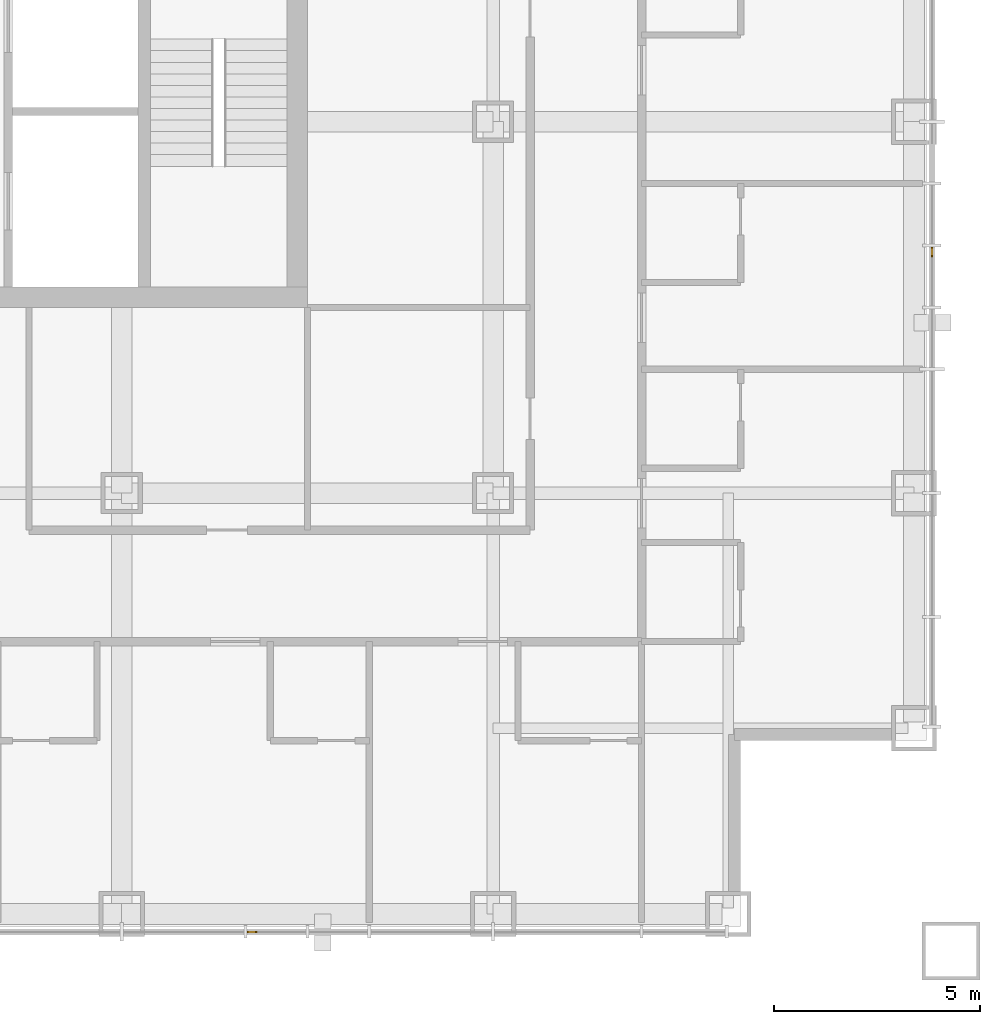
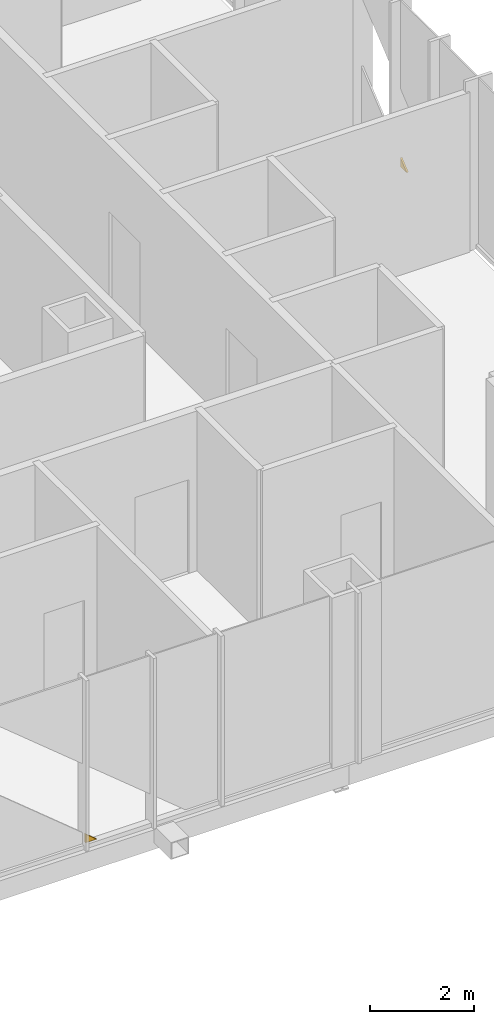
# One storey, part 16 of 18: 2 coverings.
"""IFC4 building model written with IfcOpenShell, lengths in metres."""

from ifc_helpers import new_model, si_unit, direction, frame, origin, place, context, subcontext, project, spatial, polyline, outline, extrude, material, layer, layer_set, type_object, element, save


model = new_model("IFC4")

# Units and contexts
model_context = context("Model", 3, precision=1e-05, world=origin(), true_north=direction((0.0, 1.0)))
body_context = subcontext(model_context, "Body", "Model", "MODEL_VIEW")
ifc_project = project(units=[si_unit("LENGTHUNIT", "METRE"), si_unit("AREAUNIT", "SQUARE_METRE"), si_unit("VOLUMEUNIT", "CUBIC_METRE"), si_unit("PLANEANGLEUNIT", "RADIAN"), si_unit("MASSUNIT", "GRAM", prefix="KILO")], contexts=[model_context])

# Site, building, storey
site_placement = place(None, origin())
site = spatial("IfcSite", under=ifc_project, at=site_placement, CompositionType="ELEMENT")
building_placement = place(site_placement, origin())
building = spatial("IfcBuilding", under=site, at=building_placement, Name="Malebo Sky Hospital", CompositionType="ELEMENT")
storey_placement = place(building_placement, frame((0.0, 0.0, 112.0)))
storey = spatial("IfcBuildingStorey", under=building, at=storey_placement, Name="L26", CompositionType="ELEMENT", Elevation=112.0)

# Coverings
ifc_material = material(Name="Anodised aluminium, natural silver insulated infill panel", Category="aluminium")
ifc_layer = layer(ifc_material, 0.0400390625)
ifc_layer_set = layer_set([ifc_layer], Name="BRACE INFILL PANEL 40")
covering_type = type_object("IfcCoveringType", Name="BRACE INFILL PANEL 40", PredefinedType="CLADDING", material=ifc_layer_set)
covering_1_placement = place(storey_placement, frame((67.66015625, 37.864990234375, 0.10009765625), z_axis=(0.0, 0.0, 1.0), x_axis=(-1.0, 0.0, 0.0)))
element("IfcCovering", 1, at=covering_1_placement, inside=storey, type_object=covering_type, Name="Brace infill panel 5.1", PredefinedType="CLADDING", context=body_context, shape_type="SweptSolid", body=[
    extrude(outline(polyline([(-0.122802734375, 0.0), (0.122802734375, 0.0), (0.122802734375, 0.2021484375), (-0.122802734375, 0.0)])), frame((0.0, 0.02001953125, 0.0), z_axis=(0.0, -1.0, 0.0), x_axis=(1.0, 0.0, 0.0)), (0.0, 0.0, 1.0), 0.0400390625),
])
covering_2_placement = place(storey_placement, frame((84.135009765625, 54.33984375, 0.10009765625), z_axis=(0.0, 0.0, 1.0), x_axis=(0.0, -1.0, 0.0)))
element("IfcCovering", 2, at=covering_2_placement, inside=storey, type_object=covering_type, Name="Brace infill panel 13.1", PredefinedType="CLADDING", context=body_context, shape_type="SweptSolid", body=[
    extrude(outline(polyline([(-0.122802734375, 0.0), (0.122802734375, 0.0), (-0.122802734375, 0.2021484375), (-0.122802734375, 0.0)])), frame((0.0, 0.02001953125, 0.0), z_axis=(0.0, -1.0, 0.0), x_axis=(1.0, 0.0, 0.0)), (0.0, 0.0, 1.0), 0.0400390625),
])

save(model, "model.ifc")
